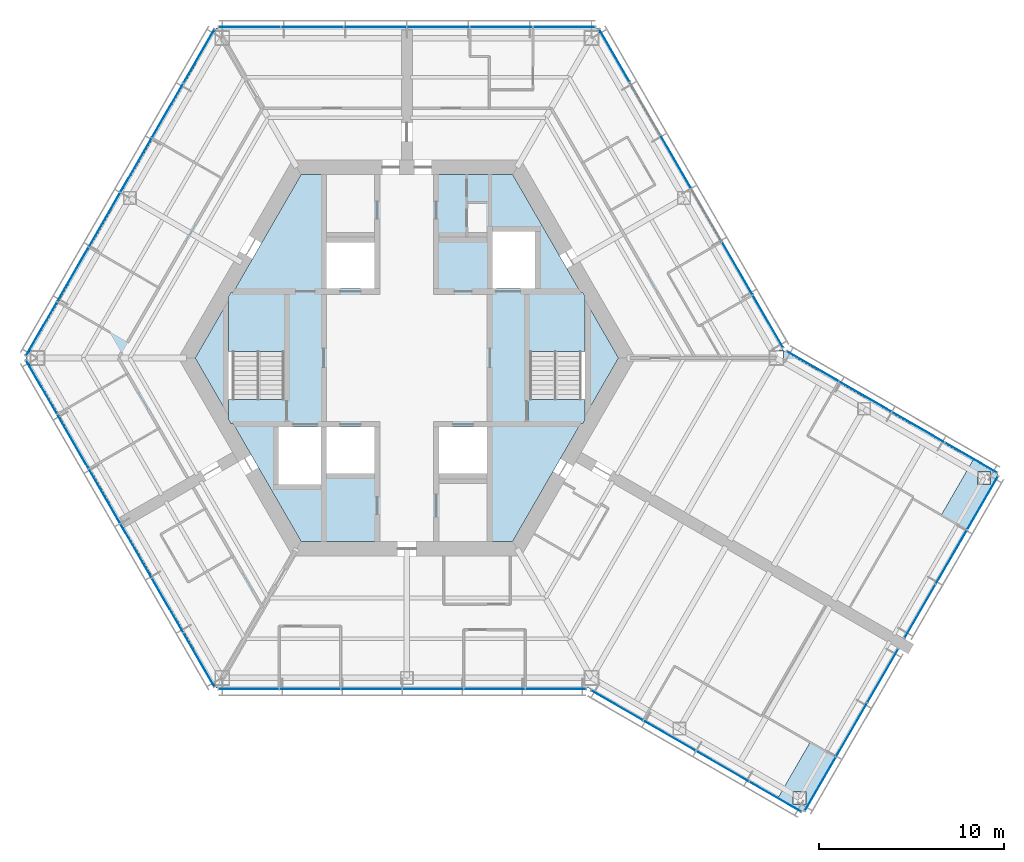
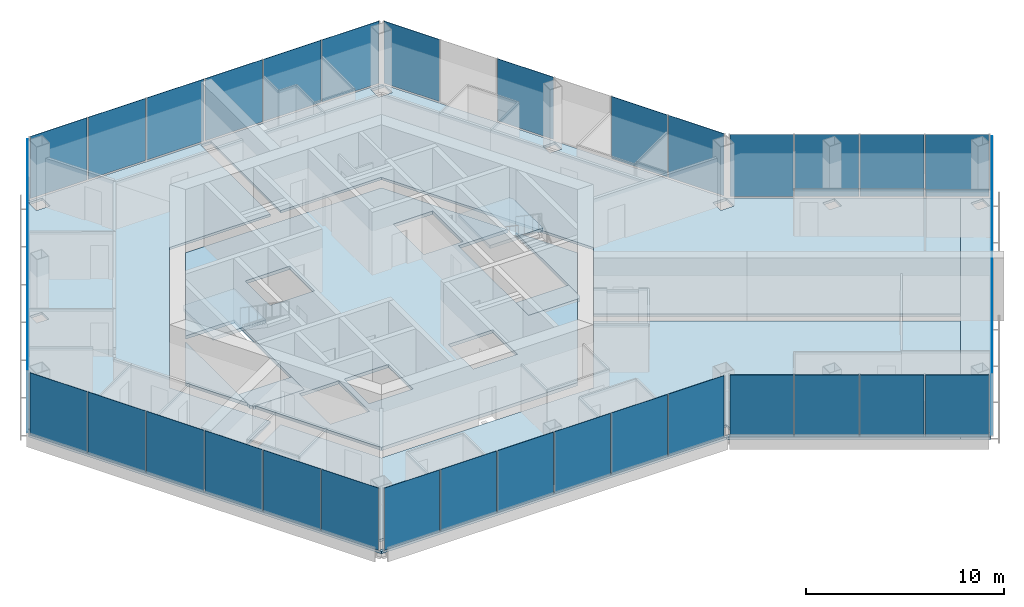
# One storey, part 8 of 17: 42 plates, 9 slabs, 11 elements without a shape of their own.
"""IFC4 building model written with IfcOpenShell, lengths in metres."""

from ifc_helpers import new_model, si_unit, direction, frame, origin, origin_2d, place, context, subcontext, project, spatial, polyline, rectangle, outline, extrude, material, layer, layer_set, type_object, element, aggregate, save


model = new_model("IFC4")

# Units and contexts
model_context = context("Model", 3, precision=1e-05, world=origin(), true_north=direction((0.0, 1.0)))
body_context = subcontext(model_context, "Body", "Model", "MODEL_VIEW")
ifc_project = project(units=[si_unit("LENGTHUNIT", "METRE"), si_unit("AREAUNIT", "SQUARE_METRE"), si_unit("VOLUMEUNIT", "CUBIC_METRE"), si_unit("PLANEANGLEUNIT", "RADIAN"), si_unit("MASSUNIT", "GRAM", prefix="KILO")], contexts=[model_context])

# Site, building, storey
site_placement = place(None, origin())
site = spatial("IfcSite", under=ifc_project, at=site_placement, CompositionType="ELEMENT")
building_placement = place(site_placement, origin())
building = spatial("IfcBuilding", under=site, at=building_placement, Name="Kasaneha Research Tower", CompositionType="ELEMENT")
storey_placement = place(building_placement, frame((0.0, 0.0, 232.300048828125)))
storey = spatial("IfcBuildingStorey", under=building, at=storey_placement, Name="L58", CompositionType="ELEMENT", Elevation=232.300048828125)

# Curtain wall, plates
ifc_material_1 = material(Name="Glass and aluminium", Category="aluminium")
curtain_wall_type = type_object("IfcCurtainWallType", Name="High-rise office curtain wall", PredefinedType="USERDEFINED", material=ifc_material_1)
curtain_wall_1_placement = place(storey_placement, origin())
curtain_wall_1 = element("IfcCurtainWall", 1, at=curtain_wall_1_placement, inside=storey, type_object=curtain_wall_type, Name="CW-O3 L58 run 01a", ObjectType="UNITISED CURTAIN WALL", PredefinedType="USERDEFINED")
ifc_material_2 = material(Name="Laminated double glazing", Category="glass")
ifc_layer_1 = layer(ifc_material_2, 0.02392578125)
ifc_layer_set_1 = layer_set([ifc_layer_1], Name="CW-O3 glazed panel")
plate_type = type_object("IfcPlateType", Name="CW-O3 glazed panel", PredefinedType="CURTAIN_PANEL", material=ifc_layer_set_1)
plate_1_placement = place(storey_placement, frame((19.549072265625, 1.981201171875, 0.06005859375), z_axis=(0.0, 0.0, 1.0), x_axis=(-0.499999979232, 0.866025415775, 0.0)))
plate_1 = element("IfcPlate", 2, at=plate_1_placement, type_object=plate_type, Name="CW-O3 panel 1", PredefinedType="CURTAIN_PANEL", context=body_context, shape_type="SweptSolid", body=[
    extrude(rectangle(XDim=3.240966796875, YDim=0.02392578125, at=origin_2d()), origin(), (0.0, 0.0, 1.0), 3.840087890625),
])
plate_2_placement = place(storey_placement, frame((17.89111328125, 4.852783203125, 0.06005859375), z_axis=(0.0, 0.0, 1.0), x_axis=(-0.499999979232, 0.866025415775, 0.0)))
plate_2 = element("IfcPlate", 3, at=plate_2_placement, type_object=plate_type, Name="CW-O3 panel 2", PredefinedType="CURTAIN_PANEL", context=body_context, shape_type="SweptSolid", body=[
    extrude(rectangle(XDim=3.27099609375, YDim=0.02392578125, at=origin_2d()), origin(), (0.0, 0.0, 1.0), 3.840087890625),
])
plate_3_placement = place(storey_placement, frame((14.56005859375, 10.622314453125, 0.06005859375), z_axis=(0.0, 0.0, 1.0), x_axis=(-0.499999979232, 0.866025415775, 0.0)))
plate_3 = element("IfcPlate", 4, at=plate_3_placement, type_object=plate_type, Name="CW-O3 panel 4", PredefinedType="CURTAIN_PANEL", context=body_context, shape_type="SweptSolid", body=[
    extrude(rectangle(XDim=3.27099609375, YDim=0.02392578125, at=origin_2d()), origin(), (0.0, 0.0, 1.0), 3.840087890625),
])
plate_4_placement = place(storey_placement, frame((11.236572265625, 16.378662109375, 0.06005859375), z_axis=(0.0, 0.0, 1.0), x_axis=(-0.499999979232, 0.866025415775, 0.0)))
plate_4 = element("IfcPlate", 5, at=plate_4_placement, type_object=plate_type, Name="CW-O3 panel 6", PredefinedType="CURTAIN_PANEL", context=body_context, shape_type="SweptSolid", body=[
    extrude(rectangle(XDim=3.240966796875, YDim=0.02392578125, at=origin_2d()), origin(), (0.0, 0.0, 1.0), 3.840087890625),
])
aggregate(curtain_wall_1, [plate_1, plate_2, plate_3, plate_4])

curtain_wall_2_placement = place(storey_placement, origin())
curtain_wall_2 = element("IfcCurtainWall", 6, at=curtain_wall_2_placement, inside=storey, type_object=curtain_wall_type, Name="CW-O3 L58 run 02a", ObjectType="UNITISED CURTAIN WALL", PredefinedType="USERDEFINED")
plate_5_placement = place(storey_placement, frame((8.523681640625, 17.92041015625, 0.06005859375), z_axis=(0.0, 0.0, 1.0), x_axis=(-1.0, 0.0, 0.0)))
plate_5 = element("IfcPlate", 7, at=plate_5_placement, type_object=plate_type, Name="CW-O3 panel 1", PredefinedType="CURTAIN_PANEL", context=body_context, shape_type="SweptSolid", body=[
    extrude(rectangle(XDim=3.325439453125, YDim=0.02392578125, at=origin_2d()), origin(), (0.0, 0.0, 1.0), 3.840087890625),
])
plate_6_placement = place(storey_placement, frame((5.123291015625, 17.92041015625, 0.06005859375), z_axis=(0.0, 0.0, 1.0), x_axis=(-1.0, 0.0, 0.0)))
plate_6 = element("IfcPlate", 8, at=plate_6_placement, type_object=plate_type, Name="CW-O3 panel 2", PredefinedType="CURTAIN_PANEL", context=body_context, shape_type="SweptSolid", body=[
    extrude(rectangle(XDim=3.35546875, YDim=0.02392578125, at=origin_2d()), origin(), (0.0, 0.0, 1.0), 3.840087890625),
])
plate_7_placement = place(storey_placement, frame((1.707763671875, 17.92041015625, 0.06005859375), z_axis=(0.0, 0.0, 1.0), x_axis=(-1.0, 0.0, 0.0)))
plate_7 = element("IfcPlate", 9, at=plate_7_placement, type_object=plate_type, Name="CW-O3 panel 3", PredefinedType="CURTAIN_PANEL", context=body_context, shape_type="SweptSolid", body=[
    extrude(rectangle(XDim=3.35546875, YDim=0.02392578125, at=origin_2d()), origin(), (0.0, 0.0, 1.0), 3.840087890625),
])
plate_8_placement = place(storey_placement, frame((-1.707763671875, 17.92041015625, 0.06005859375), z_axis=(0.0, 0.0, 1.0), x_axis=(-1.0, 0.0, 0.0)))
plate_8 = element("IfcPlate", 10, at=plate_8_placement, type_object=plate_type, Name="CW-O3 panel 4", PredefinedType="CURTAIN_PANEL", context=body_context, shape_type="SweptSolid", body=[
    extrude(rectangle(XDim=3.35546875, YDim=0.02392578125, at=origin_2d()), origin(), (0.0, 0.0, 1.0), 3.840087890625),
])
plate_9_placement = place(storey_placement, frame((-5.123291015625, 17.92041015625, 0.06005859375), z_axis=(0.0, 0.0, 1.0), x_axis=(-1.0, 0.0, 0.0)))
plate_9 = element("IfcPlate", 11, at=plate_9_placement, type_object=plate_type, Name="CW-O3 panel 5", PredefinedType="CURTAIN_PANEL", context=body_context, shape_type="SweptSolid", body=[
    extrude(rectangle(XDim=3.35546875, YDim=0.02392578125, at=origin_2d()), origin(), (0.0, 0.0, 1.0), 3.840087890625),
])
plate_10_placement = place(storey_placement, frame((-8.523681640625, 17.92041015625, 0.06005859375), z_axis=(0.0, 0.0, 1.0), x_axis=(-1.0, 0.0, 0.0)))
plate_10 = element("IfcPlate", 12, at=plate_10_placement, type_object=plate_type, Name="CW-O3 panel 6", PredefinedType="CURTAIN_PANEL", context=body_context, shape_type="SweptSolid", body=[
    extrude(rectangle(XDim=3.325439453125, YDim=0.02392578125, at=origin_2d()), origin(), (0.0, 0.0, 1.0), 3.840087890625),
])
aggregate(curtain_wall_2, [plate_5, plate_6, plate_7, plate_8, plate_9, plate_10])

curtain_wall_3_placement = place(storey_placement, origin())
curtain_wall_3 = element("IfcCurtainWall", 13, at=curtain_wall_3_placement, inside=storey, type_object=curtain_wall_type, Name="CW-O3 L58 run 03a", ObjectType="UNITISED CURTAIN WALL", PredefinedType="USERDEFINED")
plate_11_placement = place(storey_placement, frame((-11.2578125, 16.342041015625, 0.06005859375), z_axis=(0.0, 0.0, 1.0), x_axis=(-0.499999995722, -0.866025406254, 0.0)))
plate_11 = element("IfcPlate", 14, at=plate_11_placement, type_object=plate_type, Name="CW-O3 panel 1", PredefinedType="CURTAIN_PANEL", context=body_context, shape_type="SweptSolid", body=[
    extrude(rectangle(XDim=3.325439453125, YDim=0.02392578125, at=origin_2d()), origin(), (0.0, 0.0, 1.0), 3.840087890625),
])
plate_12_placement = place(storey_placement, frame((-12.9580078125, 13.39697265625, 0.06005859375), z_axis=(0.0, 0.0, 1.0), x_axis=(-0.499999995722, -0.866025406254, 0.0)))
plate_12 = element("IfcPlate", 15, at=plate_12_placement, type_object=plate_type, Name="CW-O3 panel 2", PredefinedType="CURTAIN_PANEL", context=body_context, shape_type="SweptSolid", body=[
    extrude(rectangle(XDim=3.35546875, YDim=0.02392578125, at=origin_2d()), origin(), (0.0, 0.0, 1.0), 3.840087890625),
])
plate_13_placement = place(storey_placement, frame((-14.665771484375, 10.439208984375, 0.06005859375), z_axis=(0.0, 0.0, 1.0), x_axis=(-0.499999995722, -0.866025406254, 0.0)))
plate_13 = element("IfcPlate", 16, at=plate_13_placement, type_object=plate_type, Name="CW-O3 panel 3", PredefinedType="CURTAIN_PANEL", context=body_context, shape_type="SweptSolid", body=[
    extrude(rectangle(XDim=3.35546875, YDim=0.02392578125, at=origin_2d()), origin(), (0.0, 0.0, 1.0), 3.840087890625),
])
plate_14_placement = place(storey_placement, frame((-16.37353515625, 7.481201171875, 0.06005859375), z_axis=(0.0, 0.0, 1.0), x_axis=(-0.499999995722, -0.866025406254, 0.0)))
plate_14 = element("IfcPlate", 17, at=plate_14_placement, type_object=plate_type, Name="CW-O3 panel 4", PredefinedType="CURTAIN_PANEL", context=body_context, shape_type="SweptSolid", body=[
    extrude(rectangle(XDim=3.35546875, YDim=0.02392578125, at=origin_2d()), origin(), (0.0, 0.0, 1.0), 3.840087890625),
])
plate_15_placement = place(storey_placement, frame((-18.081298828125, 4.5234375, 0.06005859375), z_axis=(0.0, 0.0, 1.0), x_axis=(-0.499999995722, -0.866025406254, 0.0)))
plate_15 = element("IfcPlate", 18, at=plate_15_placement, type_object=plate_type, Name="CW-O3 panel 5", PredefinedType="CURTAIN_PANEL", context=body_context, shape_type="SweptSolid", body=[
    extrude(rectangle(XDim=3.35546875, YDim=0.02392578125, at=origin_2d()), origin(), (0.0, 0.0, 1.0), 3.840087890625),
])
plate_16_placement = place(storey_placement, frame((-19.781494140625, 1.57861328125, 0.06005859375), z_axis=(0.0, 0.0, 1.0), x_axis=(-0.499999995722, -0.866025406254, 0.0)))
plate_16 = element("IfcPlate", 19, at=plate_16_placement, type_object=plate_type, Name="CW-O3 panel 6", PredefinedType="CURTAIN_PANEL", context=body_context, shape_type="SweptSolid", body=[
    extrude(rectangle(XDim=3.325439453125, YDim=0.02392578125, at=origin_2d()), origin(), (0.0, 0.0, 1.0), 3.840087890625),
])
aggregate(curtain_wall_3, [plate_11, plate_12, plate_13, plate_14, plate_15, plate_16])

curtain_wall_4_placement = place(storey_placement, origin())
curtain_wall_4 = element("IfcCurtainWall", 20, at=curtain_wall_4_placement, inside=storey, type_object=curtain_wall_type, Name="CW-O3 L58 run 04a", ObjectType="UNITISED CURTAIN WALL", PredefinedType="USERDEFINED")
plate_17_placement = place(storey_placement, frame((-19.781494140625, -1.57861328125, 0.06005859375), z_axis=(0.0, 0.0, 1.0), x_axis=(0.499999995722, -0.866025406254, 0.0)))
plate_17 = element("IfcPlate", 21, at=plate_17_placement, type_object=plate_type, Name="CW-O3 panel 1", PredefinedType="CURTAIN_PANEL", context=body_context, shape_type="SweptSolid", body=[
    extrude(rectangle(XDim=3.325439453125, YDim=0.02392578125, at=origin_2d()), origin(), (0.0, 0.0, 1.0), 3.840087890625),
])
plate_18_placement = place(storey_placement, frame((-18.081298828125, -4.5234375, 0.06005859375), z_axis=(0.0, 0.0, 1.0), x_axis=(0.499999995722, -0.866025406254, 0.0)))
plate_18 = element("IfcPlate", 22, at=plate_18_placement, type_object=plate_type, Name="CW-O3 panel 2", PredefinedType="CURTAIN_PANEL", context=body_context, shape_type="SweptSolid", body=[
    extrude(rectangle(XDim=3.35546875, YDim=0.02392578125, at=origin_2d()), origin(), (0.0, 0.0, 1.0), 3.840087890625),
])
plate_19_placement = place(storey_placement, frame((-16.37353515625, -7.481201171875, 0.06005859375), z_axis=(0.0, 0.0, 1.0), x_axis=(0.499999995722, -0.866025406254, 0.0)))
plate_19 = element("IfcPlate", 23, at=plate_19_placement, type_object=plate_type, Name="CW-O3 panel 3", PredefinedType="CURTAIN_PANEL", context=body_context, shape_type="SweptSolid", body=[
    extrude(rectangle(XDim=3.35546875, YDim=0.02392578125, at=origin_2d()), origin(), (0.0, 0.0, 1.0), 3.840087890625),
])
plate_20_placement = place(storey_placement, frame((-14.665771484375, -10.439208984375, 0.06005859375), z_axis=(0.0, 0.0, 1.0), x_axis=(0.499999995722, -0.866025406254, 0.0)))
plate_20 = element("IfcPlate", 24, at=plate_20_placement, type_object=plate_type, Name="CW-O3 panel 4", PredefinedType="CURTAIN_PANEL", context=body_context, shape_type="SweptSolid", body=[
    extrude(rectangle(XDim=3.35546875, YDim=0.02392578125, at=origin_2d()), origin(), (0.0, 0.0, 1.0), 3.840087890625),
])
plate_21_placement = place(storey_placement, frame((-12.9580078125, -13.39697265625, 0.06005859375), z_axis=(0.0, 0.0, 1.0), x_axis=(0.499999995722, -0.866025406254, 0.0)))
plate_21 = element("IfcPlate", 25, at=plate_21_placement, type_object=plate_type, Name="CW-O3 panel 5", PredefinedType="CURTAIN_PANEL", context=body_context, shape_type="SweptSolid", body=[
    extrude(rectangle(XDim=3.35546875, YDim=0.02392578125, at=origin_2d()), origin(), (0.0, 0.0, 1.0), 3.840087890625),
])
plate_22_placement = place(storey_placement, frame((-11.2578125, -16.342041015625, 0.06005859375), z_axis=(0.0, 0.0, 1.0), x_axis=(0.499999995722, -0.866025406254, 0.0)))
plate_22 = element("IfcPlate", 26, at=plate_22_placement, type_object=plate_type, Name="CW-O3 panel 6", PredefinedType="CURTAIN_PANEL", context=body_context, shape_type="SweptSolid", body=[
    extrude(rectangle(XDim=3.325439453125, YDim=0.02392578125, at=origin_2d()), origin(), (0.0, 0.0, 1.0), 3.840087890625),
])
aggregate(curtain_wall_4, [plate_17, plate_18, plate_19, plate_20, plate_21, plate_22])

curtain_wall_5_placement = place(storey_placement, origin())
curtain_wall_5 = element("IfcCurtainWall", 27, at=curtain_wall_5_placement, inside=storey, type_object=curtain_wall_type, Name="CW-O3 L58 run 05a", ObjectType="UNITISED CURTAIN WALL", PredefinedType="USERDEFINED")
plate_23_placement = place(storey_placement, frame((-8.56591796875, -17.92041015625, 0.06005859375), z_axis=(0.0, 0.0, 1.0), x_axis=(1.0, 0.0, 0.0)))
plate_23 = element("IfcPlate", 28, at=plate_23_placement, type_object=plate_type, Name="CW-O3 panel 1", PredefinedType="CURTAIN_PANEL", context=body_context, shape_type="SweptSolid", body=[
    extrude(rectangle(XDim=3.240966796875, YDim=0.02392578125, at=origin_2d()), origin(), (0.0, 0.0, 1.0), 3.840087890625),
])
plate_24_placement = place(storey_placement, frame((-5.25, -17.92041015625, 0.06005859375), z_axis=(0.0, 0.0, 1.0), x_axis=(1.0, 0.0, 0.0)))
plate_24 = element("IfcPlate", 29, at=plate_24_placement, type_object=plate_type, Name="CW-O3 panel 2", PredefinedType="CURTAIN_PANEL", context=body_context, shape_type="SweptSolid", body=[
    extrude(rectangle(XDim=3.27099609375, YDim=0.02392578125, at=origin_2d()), origin(), (0.0, 0.0, 1.0), 3.840087890625),
])
plate_25_placement = place(storey_placement, frame((-1.9189453125, -17.92041015625, 0.06005859375), z_axis=(0.0, 0.0, 1.0), x_axis=(1.0, 0.0, 0.0)))
plate_25 = element("IfcPlate", 30, at=plate_25_placement, type_object=plate_type, Name="CW-O3 panel 3", PredefinedType="CURTAIN_PANEL", context=body_context, shape_type="SweptSolid", body=[
    extrude(rectangle(XDim=3.27099609375, YDim=0.02392578125, at=origin_2d()), origin(), (0.0, 0.0, 1.0), 3.840087890625),
])
plate_26_placement = place(storey_placement, frame((1.411865234375, -17.92041015625, 0.06005859375), z_axis=(0.0, 0.0, 1.0), x_axis=(1.0, 0.0, 0.0)))
plate_26 = element("IfcPlate", 31, at=plate_26_placement, type_object=plate_type, Name="CW-O3 panel 4", PredefinedType="CURTAIN_PANEL", context=body_context, shape_type="SweptSolid", body=[
    extrude(rectangle(XDim=3.27099609375, YDim=0.02392578125, at=origin_2d()), origin(), (0.0, 0.0, 1.0), 3.840087890625),
])
plate_27_placement = place(storey_placement, frame((4.742919921875, -17.92041015625, 0.06005859375), z_axis=(0.0, 0.0, 1.0), x_axis=(1.0, 0.0, 0.0)))
plate_27 = element("IfcPlate", 32, at=plate_27_placement, type_object=plate_type, Name="CW-O3 panel 5", PredefinedType="CURTAIN_PANEL", context=body_context, shape_type="SweptSolid", body=[
    extrude(rectangle(XDim=3.27099609375, YDim=0.02392578125, at=origin_2d()), origin(), (0.0, 0.0, 1.0), 3.840087890625),
])
plate_28_placement = place(storey_placement, frame((8.058837890625, -17.92041015625, 0.06005859375), z_axis=(0.0, 0.0, 1.0), x_axis=(1.0, 0.0, 0.0)))
plate_28 = element("IfcPlate", 33, at=plate_28_placement, type_object=plate_type, Name="CW-O3 panel 6", PredefinedType="CURTAIN_PANEL", context=body_context, shape_type="SweptSolid", body=[
    extrude(rectangle(XDim=3.240966796875, YDim=0.02392578125, at=origin_2d()), origin(), (0.0, 0.0, 1.0), 3.840087890625),
])
aggregate(curtain_wall_5, [plate_23, plate_24, plate_25, plate_26, plate_27, plate_28])

curtain_wall_6_placement = place(storey_placement, origin())
curtain_wall_6 = element("IfcCurtainWall", 34, at=curtain_wall_6_placement, inside=storey, type_object=curtain_wall_type, Name="CW-O3 L58 run 06a", ObjectType="UNITISED CURTAIN WALL", PredefinedType="USERDEFINED")
plate_29_placement = place(storey_placement, frame((11.3720703125, -18.805419921875, 0.06005859375), z_axis=(0.0, 0.0, 1.0), x_axis=(0.866025411464, -0.499999986699, 0.0)))
plate_29 = element("IfcPlate", 35, at=plate_29_placement, type_object=plate_type, Name="CW-O3 panel 1", PredefinedType="CURTAIN_PANEL", context=body_context, shape_type="SweptSolid", body=[
    extrude(rectangle(XDim=3.2197265625, YDim=0.02392578125, at=origin_2d()), origin(), (0.0, 0.0, 1.0), 3.840087890625),
])
plate_30_placement = place(storey_placement, frame((14.225341796875, -20.452880859375, 0.06005859375), z_axis=(0.0, 0.0, 1.0), x_axis=(0.866025411464, -0.499999986699, 0.0)))
plate_30 = element("IfcPlate", 36, at=plate_30_placement, type_object=plate_type, Name="CW-O3 panel 2", PredefinedType="CURTAIN_PANEL", context=body_context, shape_type="SweptSolid", body=[
    extrude(rectangle(XDim=3.249755859375, YDim=0.02392578125, at=origin_2d()), origin(), (0.0, 0.0, 1.0), 3.840087890625),
])
plate_31_placement = place(storey_placement, frame((17.091796875, -22.107666015625, 0.06005859375), z_axis=(0.0, 0.0, 1.0), x_axis=(0.866025411464, -0.499999986699, 0.0)))
plate_31 = element("IfcPlate", 37, at=plate_31_placement, type_object=plate_type, Name="CW-O3 panel 3", PredefinedType="CURTAIN_PANEL", context=body_context, shape_type="SweptSolid", body=[
    extrude(rectangle(XDim=3.249755859375, YDim=0.02392578125, at=origin_2d()), origin(), (0.0, 0.0, 1.0), 3.840087890625),
])
plate_32_placement = place(storey_placement, frame((19.945068359375, -23.755126953125, 0.06005859375), z_axis=(0.0, 0.0, 1.0), x_axis=(0.866025411464, -0.499999986699, 0.0)))
plate_32 = element("IfcPlate", 38, at=plate_32_placement, type_object=plate_type, Name="CW-O3 panel 4", PredefinedType="CURTAIN_PANEL", context=body_context, shape_type="SweptSolid", body=[
    extrude(rectangle(XDim=3.2197265625, YDim=0.02392578125, at=origin_2d()), origin(), (0.0, 0.0, 1.0), 3.840087890625),
])
aggregate(curtain_wall_6, [plate_29, plate_30, plate_31, plate_32])

curtain_wall_7_placement = place(storey_placement, origin())
curtain_wall_7 = element("IfcCurtainWall", 39, at=curtain_wall_7_placement, inside=storey, type_object=curtain_wall_type, Name="CW-O3 L58 run 07a", ObjectType="UNITISED CURTAIN WALL", PredefinedType="USERDEFINED")
plate_33_placement = place(storey_placement, frame((22.385498046875, -23.068359375, 0.06005859375), z_axis=(0.0, 0.0, 1.0), x_axis=(0.500000011442, 0.866025397178, 0.0)))
plate_33 = element("IfcPlate", 40, at=plate_33_placement, type_object=plate_type, Name="CW-O3 panel 1", PredefinedType="CURTAIN_PANEL", context=body_context, shape_type="SweptSolid", body=[
    extrude(rectangle(XDim=3.31005859375, YDim=0.02392578125, at=origin_2d()), origin(), (0.0, 0.0, 1.0), 3.840087890625),
])
plate_34_placement = place(storey_placement, frame((24.077880859375, -20.13671875, 0.06005859375), z_axis=(0.0, 0.0, 1.0), x_axis=(0.500000011442, 0.866025397178, 0.0)))
plate_34 = element("IfcPlate", 41, at=plate_34_placement, type_object=plate_type, Name="CW-O3 panel 2", PredefinedType="CURTAIN_PANEL", context=body_context, shape_type="SweptSolid", body=[
    extrude(rectangle(XDim=3.340087890625, YDim=0.02392578125, at=origin_2d()), origin(), (0.0, 0.0, 1.0), 3.840087890625),
])
plate_35_placement = place(storey_placement, frame((25.7705078125, -17.205322265625, 0.06005859375), z_axis=(0.0, 0.0, 1.0), x_axis=(0.500000011442, 0.866025397178, 0.0)))
plate_35 = element("IfcPlate", 42, at=plate_35_placement, type_object=plate_type, Name="CW-O3 panel 3", PredefinedType="CURTAIN_PANEL", context=body_context, shape_type="SweptSolid", body=[
    extrude(rectangle(XDim=3.31005859375, YDim=0.02392578125, at=origin_2d()), origin(), (0.0, 0.0, 1.0), 3.840087890625),
])
aggregate(curtain_wall_7, [plate_33, plate_34, plate_35])

curtain_wall_8_placement = place(storey_placement, origin())
curtain_wall_8 = element("IfcCurtainWall", 43, at=curtain_wall_8_placement, inside=storey, type_object=curtain_wall_type, Name="CW-O3 L58 run 08a", ObjectType="UNITISED CURTAIN WALL", PredefinedType="USERDEFINED")
plate_36_placement = place(storey_placement, frame((27.785400390625, -13.71533203125, 0.06005859375), z_axis=(0.0, 0.0, 1.0), x_axis=(0.500000011442, 0.866025397178, 0.0)))
plate_36 = element("IfcPlate", 44, at=plate_36_placement, type_object=plate_type, Name="CW-O3 panel 1", PredefinedType="CURTAIN_PANEL", context=body_context, shape_type="SweptSolid", body=[
    extrude(rectangle(XDim=3.31005859375, YDim=0.02392578125, at=origin_2d()), origin(), (0.0, 0.0, 1.0), 3.840087890625),
])
plate_37_placement = place(storey_placement, frame((29.47802734375, -10.78369140625, 0.06005859375), z_axis=(0.0, 0.0, 1.0), x_axis=(0.500000011442, 0.866025397178, 0.0)))
plate_37 = element("IfcPlate", 45, at=plate_37_placement, type_object=plate_type, Name="CW-O3 panel 2", PredefinedType="CURTAIN_PANEL", context=body_context, shape_type="SweptSolid", body=[
    extrude(rectangle(XDim=3.340087890625, YDim=0.02392578125, at=origin_2d()), origin(), (0.0, 0.0, 1.0), 3.840087890625),
])
plate_38_placement = place(storey_placement, frame((31.17041015625, -7.852294921875, 0.06005859375), z_axis=(0.0, 0.0, 1.0), x_axis=(0.500000011442, 0.866025397178, 0.0)))
plate_38 = element("IfcPlate", 46, at=plate_38_placement, type_object=plate_type, Name="CW-O3 panel 3", PredefinedType="CURTAIN_PANEL", context=body_context, shape_type="SweptSolid", body=[
    extrude(rectangle(XDim=3.31005859375, YDim=0.02392578125, at=origin_2d()), origin(), (0.0, 0.0, 1.0), 3.840087890625),
])
aggregate(curtain_wall_8, [plate_36, plate_37, plate_38])

curtain_wall_9_placement = place(storey_placement, origin())
curtain_wall_9 = element("IfcCurtainWall", 47, at=curtain_wall_9_placement, inside=storey, type_object=curtain_wall_type, Name="CW-O3 L58 run 09a", ObjectType="UNITISED CURTAIN WALL", PredefinedType="USERDEFINED")
plate_39_placement = place(storey_placement, frame((30.545166015625, -5.3955078125, 0.06005859375), z_axis=(0.0, 0.0, 1.0), x_axis=(-0.866025411464, 0.499999986699, 0.0)))
plate_39 = element("IfcPlate", 48, at=plate_39_placement, type_object=plate_type, Name="CW-O3 panel 1", PredefinedType="CURTAIN_PANEL", context=body_context, shape_type="SweptSolid", body=[
    extrude(rectangle(XDim=3.2197265625, YDim=0.02392578125, at=origin_2d()), origin(), (0.0, 0.0, 1.0), 3.840087890625),
])
plate_40_placement = place(storey_placement, frame((27.69189453125, -3.748046875, 0.06005859375), z_axis=(0.0, 0.0, 1.0), x_axis=(-0.866025411464, 0.499999986699, 0.0)))
plate_40 = element("IfcPlate", 49, at=plate_40_placement, type_object=plate_type, Name="CW-O3 panel 2", PredefinedType="CURTAIN_PANEL", context=body_context, shape_type="SweptSolid", body=[
    extrude(rectangle(XDim=3.249755859375, YDim=0.02392578125, at=origin_2d()), origin(), (0.0, 0.0, 1.0), 3.840087890625),
])
plate_41_placement = place(storey_placement, frame((24.825439453125, -2.093017578125, 0.06005859375), z_axis=(0.0, 0.0, 1.0), x_axis=(-0.866025411464, 0.499999986699, 0.0)))
plate_41 = element("IfcPlate", 50, at=plate_41_placement, type_object=plate_type, Name="CW-O3 panel 3", PredefinedType="CURTAIN_PANEL", context=body_context, shape_type="SweptSolid", body=[
    extrude(rectangle(XDim=3.249755859375, YDim=0.02392578125, at=origin_2d()), origin(), (0.0, 0.0, 1.0), 3.840087890625),
])
plate_42_placement = place(storey_placement, frame((21.971923828125, -0.44580078125, 0.06005859375), z_axis=(0.0, 0.0, 1.0), x_axis=(-0.866025411464, 0.499999986699, 0.0)))
plate_42 = element("IfcPlate", 51, at=plate_42_placement, type_object=plate_type, Name="CW-O3 panel 4", PredefinedType="CURTAIN_PANEL", context=body_context, shape_type="SweptSolid", body=[
    extrude(rectangle(XDim=3.2197265625, YDim=0.02392578125, at=origin_2d()), origin(), (0.0, 0.0, 1.0), 3.840087890625),
])
aggregate(curtain_wall_9, [plate_39, plate_40, plate_41, plate_42])

# Slabs
ifc_material_3 = material(Name="Concrete Fc24", Category="concrete")
ifc_layer_2 = layer(ifc_material_3, 0.199951171875)
ifc_layer_set_2 = layer_set([ifc_layer_2], Name="Core floor slab 200")
slab_type_1 = type_object("IfcSlabType", Name="Core floor slab 200", PredefinedType="FLOOR", material=ifc_layer_set_2)
slab_1_placement = place(storey_placement, frame((0.0, 0.0, -0.199951171875)))
element("IfcSlab", 52, at=slab_1_placement, inside=storey, type_object=slab_type_1, Name="Core slab L58", PredefinedType="FLOOR", context=body_context, shape_type="SweptSolid", body=[
    extrude(outline(polyline([(-11.46044921875, 0.0), (-9.64990234375, 3.1357421875), (-9.64990234375, -3.1357421875), (-11.46044921875, 0.0)])), origin(), (0.0, 0.0, 1.0), 0.199951171875),
])
slab_2_placement = place(storey_placement, frame((0.0, 0.0, -0.199951171875)))
element("IfcSlab", 53, at=slab_2_placement, inside=storey, type_object=slab_type_1, Name="Core slab L58", PredefinedType="FLOOR", context=body_context, shape_type="SweptSolid", body=[
    extrude(outline(polyline([(-5.730224609375, 9.925048828125), (5.730224609375, 9.925048828125), (9.410888671875, 3.550048828125), (6.550048828125, 3.550048828125), (6.550048828125, -3.550048828125), (9.410888671875, -3.550048828125), (5.730224609375, -9.925048828125), (-5.730224609375, -9.925048828125), (-9.410888671875, -3.550048828125), (-6.550048828125, -3.550048828125), (-6.550048828125, 3.550048828125), (-9.410888671875, 3.550048828125), (-5.730224609375, 9.925048828125)]), holes=[polyline([(-6.949951171875, -6.85009765625), (-4.64990234375, -6.85009765625), (-4.64990234375, -3.75), (-6.949951171875, -3.75), (-6.949951171875, -6.85009765625)]), polyline([(-4.35009765625, -3.75), (-4.35009765625, -6.25), (-1.75, -6.25), (-1.75, -3.75), (-4.35009765625, -3.75)]), polyline([(1.75, -3.75), (1.75, -6.25), (4.35009765625, -6.25), (4.35009765625, -3.75), (1.75, -3.75)]), polyline([(-4.35009765625, 6.25), (-4.35009765625, 3.75), (-1.75, 3.75), (-1.75, 6.25), (-4.35009765625, 6.25)]), polyline([(4.64990234375, 6.85009765625), (4.64990234375, 3.75), (6.949951171875, 3.75), (6.949951171875, 6.85009765625), (4.64990234375, 6.85009765625)])]), origin(), (0.0, 0.0, 1.0), 0.199951171875),
])
slab_3_placement = place(storey_placement, frame((0.0, 0.0, -0.199951171875)))
element("IfcSlab", 54, at=slab_3_placement, inside=storey, type_object=slab_type_1, Name="Core slab L58", PredefinedType="FLOOR", context=body_context, shape_type="SweptSolid", body=[
    extrude(outline(polyline([(11.46044921875, 0.0), (9.64990234375, -3.1357421875), (9.64990234375, 3.1357421875), (11.46044921875, 0.0)])), origin(), (0.0, 0.0, 1.0), 0.199951171875),
])
ifc_material_4 = material(Name="Concrete Fc24", Category="concrete")
ifc_layer_3 = layer(ifc_material_4, 0.14990234375)
ifc_layer_set_3 = layer_set([ifc_layer_3], Name="Floor slab 150")
slab_type_2 = type_object("IfcSlabType", Name="Floor slab 150", PredefinedType="FLOOR", material=ifc_layer_set_3)
slab_4_placement = place(storey_placement, frame((0.0, 0.0, -0.150146484375)))
element("IfcSlab", 55, at=slab_4_placement, inside=storey, type_object=slab_type_2, Name="Floor slab L58 1", PredefinedType="FLOOR", context=body_context, shape_type="SweptSolid", body=[
    extrude(outline(polyline([(-10.317626953125, -17.87060546875), (-10.3974609375, -17.732177734375), (-10.385986328125, -17.720703125), (-9.599853515625, -17.720703125), (-9.599853515625, -16.92041015625), (-10.400146484375, -16.92041015625), (-10.400146484375, -17.70654296875), (-10.40771484375, -17.714111328125), (-20.635009765625, 0.0), (-20.40771484375, 0.3935546875), (-20.400146484375, 0.385986328125), (-20.400146484375, -0.400146484375), (-19.599853515625, -0.400146484375), (-19.599853515625, 0.400146484375), (-20.385986328125, 0.400146484375), (-20.3974609375, 0.41162109375), (-10.40771484375, 17.714111328125), (-10.400146484375, 17.70654296875), (-10.400146484375, 16.92041015625), (-9.599853515625, 16.92041015625), (-9.599853515625, 17.720703125), (-10.385986328125, 17.720703125), (-10.3974609375, 17.732177734375), (-10.317626953125, 17.87060546875), (10.317626953125, 17.87060546875), (10.3974609375, 17.732177734375), (10.385986328125, 17.720703125), (9.599853515625, 17.720703125), (9.599853515625, 16.92041015625), (10.400146484375, 16.92041015625), (10.400146484375, 17.70654296875), (10.40771484375, 17.714111328125), (20.3974609375, 0.41162109375), (20.385986328125, 0.400146484375), (19.599853515625, 0.400146484375), (19.599853515625, -0.400146484375), (20.400146484375, -0.400146484375), (20.400146484375, 0.385986328125), (20.41162109375, 0.3974609375), (30.65869140625, -5.518798828125), (25.53369140625, -14.3955078125), (9.438232421875, -5.102783203125), (12.38427734375, 0.0), (6.192138671875, 10.72509765625), (0.300048828125, 10.72509765625), (0.300048828125, 17.7705078125), (-0.300048828125, 17.7705078125), (-0.300048828125, 10.72509765625), (-6.192138671875, 10.72509765625), (-12.38427734375, 0.0), (-9.438232421875, -5.102783203125), (-15.539794921875, -8.62548828125), (-15.23974609375, -9.14501953125), (-9.13818359375, -5.622314453125), (-6.192138671875, -10.72509765625), (6.192138671875, -10.72509765625), (9.13818359375, -5.622314453125), (25.233642578125, -14.9150390625), (20.108642578125, -23.791748046875), (9.8525390625, -17.87060546875), (-10.317626953125, -17.87060546875)]), holes=[polyline([(-0.35009765625, -17.67041015625), (0.35009765625, -17.67041015625), (0.35009765625, -16.970458984375), (-0.35009765625, -16.970458984375), (-0.35009765625, -17.67041015625)]), polyline([(-15.35009765625, 8.310302734375), (-14.64990234375, 8.310302734375), (-14.64990234375, 9.01025390625), (-15.35009765625, 9.01025390625), (-15.35009765625, 8.310302734375)]), polyline([(14.4130859375, -20.42041015625), (15.113037109375, -20.42041015625), (15.113037109375, -19.720458984375), (14.4130859375, -19.720458984375), (14.4130859375, -20.42041015625)]), polyline([(9.60009765625, -17.720458984375), (10.39990234375, -17.720458984375), (10.39990234375, -16.92041015625), (9.60009765625, -16.92041015625), (9.60009765625, -17.720458984375)]), polyline([(24.4130859375, -3.10009765625), (25.113037109375, -3.10009765625), (25.113037109375, -2.39990234375), (24.4130859375, -2.39990234375), (24.4130859375, -3.10009765625)]), polyline([(14.64990234375, 9.01025390625), (14.64990234375, 8.310302734375), (15.35009765625, 8.310302734375), (15.35009765625, 9.01025390625), (14.64990234375, 9.01025390625)])]), origin(), (0.0, 0.0, 1.0), 0.150146484375),
])
slab_5_placement = place(storey_placement, frame((0.0, 0.0, -0.150146484375)))
element("IfcSlab", 56, at=slab_5_placement, inside=storey, type_object=slab_type_2, Name="Floor slab L58 2", PredefinedType="FLOOR", context=body_context, shape_type="SweptSolid", body=[
    extrude(outline(polyline([(32.009521484375, -6.298583984375), (21.459716796875, -24.57177734375), (20.108642578125, -23.791748046875), (25.233642578125, -14.9150390625), (25.2421875, -14.920166015625), (25.542236328125, -14.400390625), (25.53369140625, -14.3955078125), (30.65869140625, -5.518798828125), (32.009521484375, -6.298583984375)]), holes=[polyline([(20.908447265625, -24.17041015625), (21.6083984375, -24.17041015625), (21.6083984375, -23.470458984375), (20.908447265625, -23.470458984375), (20.908447265625, -24.17041015625)]), polyline([(30.908447265625, -6.85009765625), (31.6083984375, -6.85009765625), (31.6083984375, -6.14990234375), (30.908447265625, -6.14990234375), (30.908447265625, -6.85009765625)])]), origin(), (0.0, 0.0, 1.0), 0.150146484375),
])

# Stair, slabs
ifc_material_5 = material(Name="Concrete Fc24", Category="concrete")
stair_type = type_object("IfcStairType", Name="Half-turn stair 22 risers", PredefinedType="HALF_TURN_STAIR", material=ifc_material_5)
stair_1_placement = place(storey_placement, origin())
stair_1 = element("IfcStair", 57, at=stair_1_placement, inside=storey, type_object=stair_type, Name="Stair 1 L58", PredefinedType="HALF_TURN_STAIR")
ifc_material_6 = material(Name="Concrete Fc24", Category="concrete")
ifc_layer_4 = layer(ifc_material_6, 0.199951171875)
ifc_layer_set_4 = layer_set([ifc_layer_4], Name="Stair 1 landing 200")
slab_type_3 = type_object("IfcSlabType", Name="Stair 1 landing 200", PredefinedType="LANDING", material=ifc_layer_set_4)
slab_6_placement = place(storey_placement, frame((0.0, 0.0, -0.199951171875)))
slab_6 = element("IfcSlab", 58, at=slab_6_placement, type_object=slab_type_3, Name="ST1-22R landing 1", PredefinedType="LANDING", context=body_context, shape_type="SweptSolid", body=[
    extrude(outline(polyline([(9.5263671875, -3.550048828125), (6.550048828125, -3.550048828125), (6.550048828125, -2.25), (9.64990234375, -2.25), (9.64990234375, -3.335693359375), (9.5263671875, -3.550048828125)])), origin(), (0.0, 0.0, 1.0), 0.199951171875),
])
slab_7_placement = place(storey_placement, frame((0.0, 0.0, 1.75)))
slab_7 = element("IfcSlab", 59, at=slab_7_placement, type_object=slab_type_3, Name="ST1-22R landing 2", PredefinedType="LANDING", context=body_context, shape_type="SweptSolid", body=[
    extrude(outline(polyline([(6.550048828125, 3.550048828125), (9.5263671875, 3.550048828125), (9.64990234375, 3.335693359375), (9.64990234375, 0.35009765625), (6.550048828125, 0.35009765625), (6.550048828125, 3.550048828125)])), origin(), (0.0, 0.0, 1.0), 0.199951171875),
])
aggregate(stair_1, [slab_6, slab_7])

stair_2_placement = place(storey_placement, origin())
stair_2 = element("IfcStair", 60, at=stair_2_placement, inside=storey, type_object=stair_type, Name="Stair 2 L58", PredefinedType="HALF_TURN_STAIR")
ifc_material_7 = material(Name="Concrete Fc24", Category="concrete")
ifc_layer_5 = layer(ifc_material_7, 0.199951171875)
ifc_layer_set_5 = layer_set([ifc_layer_5], Name="Stair 2 landing 200")
slab_type_4 = type_object("IfcSlabType", Name="Stair 2 landing 200", PredefinedType="LANDING", material=ifc_layer_set_5)
slab_8_placement = place(storey_placement, frame((0.0, 0.0, -0.199951171875)))
slab_8 = element("IfcSlab", 61, at=slab_8_placement, type_object=slab_type_4, Name="ST2-22R landing 1", PredefinedType="LANDING", context=body_context, shape_type="SweptSolid", body=[
    extrude(outline(polyline([(-6.550048828125, -3.550048828125), (-9.5263671875, -3.550048828125), (-9.64990234375, -3.335693359375), (-9.64990234375, -2.25), (-6.550048828125, -2.25), (-6.550048828125, -3.550048828125)])), origin(), (0.0, 0.0, 1.0), 0.199951171875),
])
slab_9_placement = place(storey_placement, frame((0.0, 0.0, 1.75)))
slab_9 = element("IfcSlab", 62, at=slab_9_placement, type_object=slab_type_4, Name="ST2-22R landing 2", PredefinedType="LANDING", context=body_context, shape_type="SweptSolid", body=[
    extrude(outline(polyline([(-6.550048828125, 0.35009765625), (-9.64990234375, 0.35009765625), (-9.64990234375, 3.335693359375), (-9.5263671875, 3.550048828125), (-6.550048828125, 3.550048828125), (-6.550048828125, 0.35009765625)])), origin(), (0.0, 0.0, 1.0), 0.199951171875),
])
aggregate(stair_2, [slab_8, slab_9])

save(model, "model.ifc")
